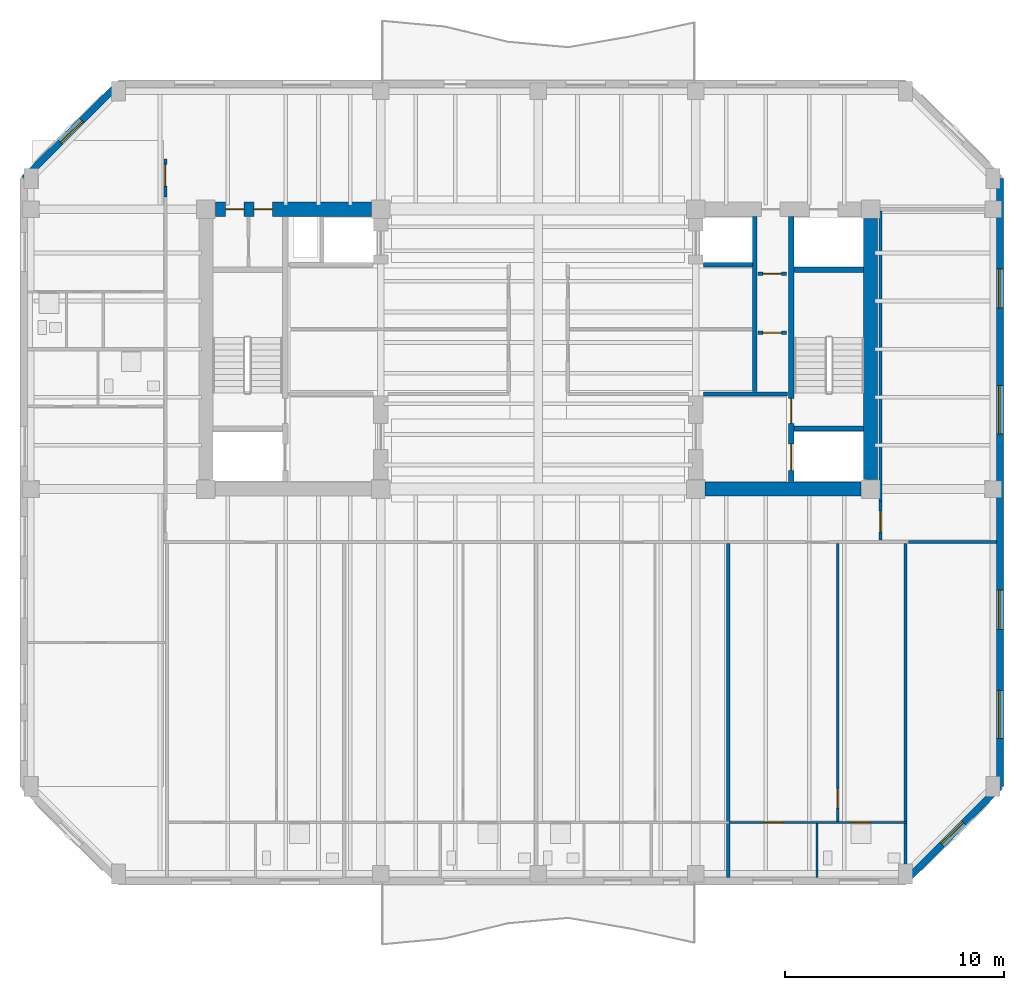
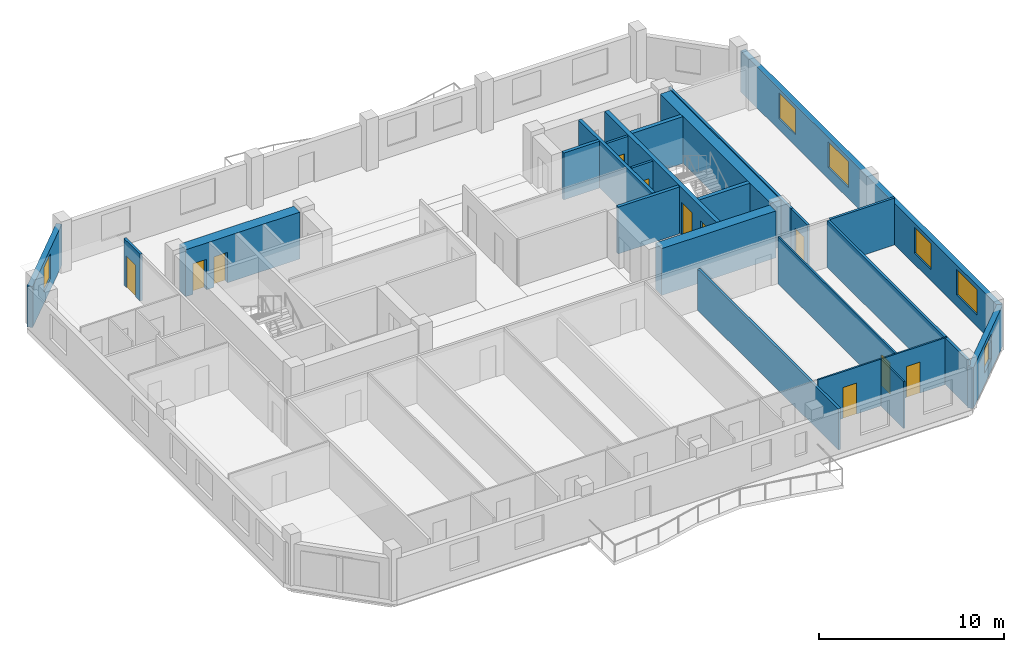
# One storey, part 5 of 11: 23 walls, 11 doors, 6 windows, 17 openings.
"""IFC4 building model written with IfcOpenShell, lengths in metres."""

from ifc_helpers import new_model, si_unit, direction, frame, frame_2d, origin, place, context, subcontext, project, spatial, rectangle, extrude, material, layer, layer_set, type_object, element, fill, save


model = new_model("IFC4")

# Units and contexts
model_context = context("Model", 3, precision=1e-05, world=origin(), true_north=direction((0.0, 1.0)))
body_context = subcontext(model_context, "Body", "Model", "MODEL_VIEW")
ifc_project = project(units=[si_unit("LENGTHUNIT", "METRE"), si_unit("AREAUNIT", "SQUARE_METRE"), si_unit("VOLUMEUNIT", "CUBIC_METRE"), si_unit("PLANEANGLEUNIT", "RADIAN"), si_unit("MASSUNIT", "GRAM", prefix="KILO")], contexts=[model_context])

# Site, building, storey
site_placement = place(None, origin())
site = spatial("IfcSite", under=ifc_project, at=site_placement, CompositionType="ELEMENT")
building_placement = place(site_placement, origin())
building = spatial("IfcBuilding", under=site, at=building_placement, Name="Kranthara Brick Stack", CompositionType="ELEMENT")
storey_placement = place(building_placement, frame((0.0, 0.0, 221.10009765625)))
storey = spatial("IfcBuildingStorey", under=building, at=storey_placement, Name="L57", CompositionType="ELEMENT", Elevation=221.10009765625)

# Wall, opening, window
ifc_material_1 = material(Name="Warm buff clay brick masonry M15", Category="masonry")
ifc_layer_1 = layer(ifc_material_1, 0.320068359375)
ifc_layer_set_1 = layer_set([ifc_layer_1], Name="Warm buff clay brick masonry M15")
wall_type_1 = type_object("IfcWallType", Name="WL-BRK-UPPR-320", PredefinedType="STANDARD", material=ifc_layer_set_1)
wall_1_placement = place(storey_placement, frame((4.47998046875, 35.0, 0.0), z_axis=(0.0, 0.0, 1.0), x_axis=(0.707106781187, 0.707106781187, 0.0)))
wall_1 = element("IfcWall", 1, at=wall_1_placement, inside=storey, type_object=wall_type_1, Name="L57 Exterior Brick Facade Wall NW 1", PredefinedType="STANDARD", context=body_context, shape_type="SweptSolid", body=[
    extrude(rectangle(XDim=6.109619140625, YDim=0.320068359375, at=frame_2d((3.0546875, 0.0))), origin(), (0.0, 0.0, 1.0), 2.724853515625),
])
opening_1_placement = place(wall_1_placement, frame((2.35498046875, 0.0, 0.75)))
opening_1 = element("IfcOpeningElement", 2, at=opening_1_placement, cuts=wall_1, Name="Opening WN10", PredefinedType="OPENING", context=body_context, shape_type="SweptSolid", body=[
    extrude(rectangle(XDim=1.39990234375, YDim=1.64990234375, at=frame_2d((0.699951171875, 0.824951171875))), frame((0.0, 0.169921875, 0.0), z_axis=(0.0, -1.0, 0.0), x_axis=(1.0, 0.0, 0.0)), (0.0, 0.0, 1.0), 0.340087890625),
])
ifc_material_2 = material(Name="Double-glazed low-E solar control glass", Category="glass")
window_type_1 = type_object("IfcWindowType", Name="WN-CHM-1400x1750", PartitioningType="SINGLE_PANEL", PredefinedType="WINDOW", material=ifc_material_2)
window_1_placement = place(opening_1_placement, origin())
window_1 = element("IfcWindow", 3, at=window_1_placement, inside=storey, type_object=window_type_1, Name="L57 NW Chamfer Corner Window", OverallHeight=1.64990234375, OverallWidth=1.39990234375, PartitioningType="SINGLE_PANEL", PredefinedType="WINDOW", context=body_context, shape_type="SweptSolid", body=[
    extrude(rectangle(XDim=1.39990234375, YDim=1.64990234375, at=frame_2d((0.699951171875, 0.824951171875))), frame((0.0, -0.010009765625, 0.0), z_axis=(0.0, -1.0, 0.0), x_axis=(1.0, 0.0, 0.0)), (0.0, 0.0, 1.0), 0.06005859375),
])
fill(opening_1, window_1)

# Wall, openings, windows
wall_2_placement = place(storey_placement, frame((49.1201171875, 35.0, 0.0), z_axis=(0.0, 0.0, 1.0), x_axis=(0.0, -1.0, 0.0)))
wall_2 = element("IfcWall", 4, at=wall_2_placement, inside=storey, type_object=wall_type_1, Name="L57 Exterior Brick Facade Wall EAST 1", PredefinedType="STANDARD", context=body_context, shape_type="SweptSolid", body=[
    extrude(rectangle(XDim=27.800048828125, YDim=0.320068359375, at=frame_2d((13.89990234375, 0.0))), origin(), (0.0, 0.0, 1.0), 2.724853515625),
])
opening_2_placement = place(wall_2_placement, frame((4.1279296875, 0.0, 0.75)))
opening_2 = element("IfcOpeningElement", 5, at=opening_2_placement, cuts=wall_2, Name="Opening WN07", PredefinedType="OPENING", context=body_context, shape_type="SweptSolid", body=[
    extrude(rectangle(XDim=1.800048828125, YDim=1.699951171875, at=frame_2d((0.89990234375, 0.85009765625))), frame((0.0, 0.169921875, 0.0), z_axis=(0.0, -1.0, 0.0), x_axis=(1.0, 0.0, 0.0)), (0.0, 0.0, 1.0), 0.340087890625),
])
opening_3_placement = place(wall_2_placement, frame((9.471923828125, 0.0, 0.75)))
opening_3 = element("IfcOpeningElement", 6, at=opening_3_placement, cuts=wall_2, Name="Opening WN08", PredefinedType="OPENING", context=body_context, shape_type="SweptSolid", body=[
    extrude(rectangle(XDim=2.199951171875, YDim=1.699951171875, at=frame_2d((1.10009765625, 0.85009765625))), frame((0.0, 0.169921875, 0.0), z_axis=(0.0, -1.0, 0.0), x_axis=(1.0, 0.0, 0.0)), (0.0, 0.0, 1.0), 0.340087890625),
])
opening_4_placement = place(wall_2_placement, frame((18.81494140625, 0.0, 0.75)))
opening_4 = element("IfcOpeningElement", 7, at=opening_4_placement, cuts=wall_2, Name="Opening WN07", PredefinedType="OPENING", context=body_context, shape_type="SweptSolid", body=[
    extrude(rectangle(XDim=1.800048828125, YDim=1.699951171875, at=frame_2d((0.89990234375, 0.85009765625))), frame((0.0, 0.169921875, 0.0), z_axis=(0.0, -1.0, 0.0), x_axis=(1.0, 0.0, 0.0)), (0.0, 0.0, 1.0), 0.340087890625),
])
opening_5_placement = place(wall_2_placement, frame((23.405029296875, 0.0, 0.75)))
opening_5 = element("IfcOpeningElement", 8, at=opening_5_placement, cuts=wall_2, Name="Opening WN08", PredefinedType="OPENING", context=body_context, shape_type="SweptSolid", body=[
    extrude(rectangle(XDim=2.199951171875, YDim=1.699951171875, at=frame_2d((1.10009765625, 0.85009765625))), frame((0.0, 0.169921875, 0.0), z_axis=(0.0, -1.0, 0.0), x_axis=(1.0, 0.0, 0.0)), (0.0, 0.0, 1.0), 0.340087890625),
])
ifc_material_3 = material(Name="Double-glazed low-E solar control glass", Category="glass")
window_type_2 = type_object("IfcWindowType", Name="WN-RES-1800x1850", PartitioningType="DOUBLE_PANEL_VERTICAL", PredefinedType="WINDOW", material=ifc_material_3)
window_2_placement = place(opening_2_placement, origin())
window_2 = element("IfcWindow", 9, at=window_2_placement, inside=storey, type_object=window_type_2, Name="L57 East Deep-Set Brick Window 01", OverallHeight=1.699951171875, OverallWidth=1.800048828125, PartitioningType="SINGLE_PANEL", PredefinedType="WINDOW", context=body_context, shape_type="SweptSolid", body=[
    extrude(rectangle(XDim=1.800048828125, YDim=1.699951171875, at=frame_2d((0.89990234375, 0.85009765625))), frame((0.0, -0.010009765625, 0.0), z_axis=(0.0, -1.0, 0.0), x_axis=(1.0, 0.0, 0.0)), (0.0, 0.0, 1.0), 0.06005859375),
])
fill(opening_2, window_2)
window_3_placement = place(opening_4_placement, origin())
window_3 = element("IfcWindow", 10, at=window_3_placement, inside=storey, type_object=window_type_2, Name="L57 East Deep-Set Brick Window 03", OverallHeight=1.699951171875, OverallWidth=1.800048828125, PartitioningType="SINGLE_PANEL", PredefinedType="WINDOW", context=body_context, shape_type="SweptSolid", body=[
    extrude(rectangle(XDim=1.800048828125, YDim=1.699951171875, at=frame_2d((0.89990234375, 0.85009765625))), frame((0.0, -0.010009765625, 0.0), z_axis=(0.0, -1.0, 0.0), x_axis=(1.0, 0.0, 0.0)), (0.0, 0.0, 1.0), 0.06005859375),
])
fill(opening_4, window_3)
ifc_material_4 = material(Name="Double-glazed low-E solar control glass", Category="glass")
window_type_3 = type_object("IfcWindowType", Name="WN-RES-2200x1850", PartitioningType="TRIPLE_PANEL_VERTICAL", PredefinedType="WINDOW", material=ifc_material_4)
window_4_placement = place(opening_3_placement, origin())
window_4 = element("IfcWindow", 11, at=window_4_placement, inside=storey, type_object=window_type_3, Name="L57 East Deep-Set Brick Window 02", OverallHeight=1.699951171875, OverallWidth=2.199951171875, PartitioningType="SINGLE_PANEL", PredefinedType="WINDOW", context=body_context, shape_type="SweptSolid", body=[
    extrude(rectangle(XDim=2.199951171875, YDim=1.699951171875, at=frame_2d((1.10009765625, 0.85009765625))), frame((0.0, -0.010009765625, 0.0), z_axis=(0.0, -1.0, 0.0), x_axis=(1.0, 0.0, 0.0)), (0.0, 0.0, 1.0), 0.06005859375),
])
fill(opening_3, window_4)
window_5_placement = place(opening_5_placement, origin())
window_5 = element("IfcWindow", 12, at=window_5_placement, inside=storey, type_object=window_type_3, Name="L57 East Deep-Set Brick Window 04", OverallHeight=1.699951171875, OverallWidth=2.199951171875, PartitioningType="SINGLE_PANEL", PredefinedType="WINDOW", context=body_context, shape_type="SweptSolid", body=[
    extrude(rectangle(XDim=2.199951171875, YDim=1.699951171875, at=frame_2d((1.10009765625, 0.85009765625))), frame((0.0, -0.010009765625, 0.0), z_axis=(0.0, -1.0, 0.0), x_axis=(1.0, 0.0, 0.0)), (0.0, 0.0, 1.0), 0.06005859375),
])
fill(opening_5, window_5)

# Wall, opening, window
wall_3_placement = place(storey_placement, frame((49.1201171875, 7.199951171875, 0.0), z_axis=(0.0, 0.0, 1.0), x_axis=(-0.707106781187, -0.707106781187, 0.0)))
wall_3 = element("IfcWall", 13, at=wall_3_placement, inside=storey, type_object=wall_type_1, Name="L57 Exterior Brick Facade Wall SE 1", PredefinedType="STANDARD", context=body_context, shape_type="SweptSolid", body=[
    extrude(rectangle(XDim=6.109619140625, YDim=0.320068359375, at=frame_2d((3.0546875, 0.0))), origin(), (0.0, 0.0, 1.0), 2.724853515625),
])
opening_6_placement = place(wall_3_placement, frame((2.35498046875, 0.0, 0.75)))
opening_6 = element("IfcOpeningElement", 14, at=opening_6_placement, cuts=wall_3, Name="Opening WN10", PredefinedType="OPENING", context=body_context, shape_type="SweptSolid", body=[
    extrude(rectangle(XDim=1.39990234375, YDim=1.64990234375, at=frame_2d((0.699951171875, 0.824951171875))), frame((0.0, 0.169921875, 0.0), z_axis=(0.0, -1.0, 0.0), x_axis=(1.0, 0.0, 0.0)), (0.0, 0.0, 1.0), 0.340087890625),
])
window_6_placement = place(opening_6_placement, origin())
window_6 = element("IfcWindow", 15, at=window_6_placement, inside=storey, type_object=window_type_1, Name="L57 SE Chamfer Corner Window", OverallHeight=1.64990234375, OverallWidth=1.39990234375, PartitioningType="SINGLE_PANEL", PredefinedType="WINDOW", context=body_context, shape_type="SweptSolid", body=[
    extrude(rectangle(XDim=1.39990234375, YDim=1.64990234375, at=frame_2d((0.699951171875, 0.824951171875))), frame((0.0, -0.010009765625, 0.0), z_axis=(0.0, -1.0, 0.0), x_axis=(1.0, 0.0, 0.0)), (0.0, 0.0, 1.0), 0.06005859375),
])
fill(opening_6, window_6)

# Wall, openings, doors
ifc_material_5 = material(Name="Concrete C50/60", Category="concrete")
ifc_layer_2 = layer(ifc_material_5, 0.25)
ifc_layer_set_2 = layer_set([ifc_layer_2], Name="Concrete C50/60")
wall_type_2 = type_object("IfcWallType", Name="WL-CORE-250", PredefinedType="SHEAR", material=ifc_layer_set_2)
wall_4_placement = place(storey_placement, frame((39.56494140625, 21.135009765625, 0.0), z_axis=(0.0, 0.0, 1.0), x_axis=(0.0, 1.0, 0.0)))
wall_4 = element("IfcWall", 16, at=wall_4_placement, inside=storey, type_object=wall_type_2, Name="L57 East Core Stair Bearing Spine Wall", PredefinedType="SHEAR", context=body_context, shape_type="SweptSolid", body=[
    extrude(rectangle(XDim=12.1298828125, YDim=0.25, at=frame_2d((6.06494140625, 0.0))), origin(), (0.0, 0.0, 1.0), 3.099853515625),
])
opening_7_placement = place(wall_4_placement, frame((0.514892578125, 0.0, 0.0)))
opening_7 = element("IfcOpeningElement", 17, at=opening_7_placement, cuts=wall_4, Name="Opening LD01", PredefinedType="OPENING", context=body_context, shape_type="SweptSolid", body=[
    extrude(rectangle(XDim=1.199951171875, YDim=2.14990234375, at=frame_2d((0.60009765625, 1.074951171875))), frame((0.0, 0.135009765625, 0.0), z_axis=(0.0, -1.0, 0.0), x_axis=(1.0, 0.0, 0.0)), (0.0, 0.0, 1.0), 0.27001953125),
])
opening_8_placement = place(wall_4_placement, frame((2.6650390625, 0.0, 0.0)))
opening_8 = element("IfcOpeningElement", 18, at=opening_8_placement, cuts=wall_4, Name="Opening D05", PredefinedType="OPENING", context=body_context, shape_type="SweptSolid", body=[
    extrude(rectangle(XDim=1.14990234375, YDim=2.14990234375, at=frame_2d((0.574951171875, 1.074951171875))), frame((0.0, 0.135009765625, 0.0), z_axis=(0.0, -1.0, 0.0), x_axis=(1.0, 0.0, 0.0)), (0.0, 0.0, 1.0), 0.27001953125),
])
ifc_material_6 = material(Name="Stainless steel sliding landing door", Category="steel")
door_type_1 = type_object("IfcDoorType", Name="DR-LD-FF1200", OperationType="DOUBLE_DOOR_SLIDING", PredefinedType="DOOR", material=ifc_material_6)
door_1_placement = place(opening_7_placement, origin())
door_1 = element("IfcDoor", 19, at=door_1_placement, inside=storey, type_object=door_type_1, Name="L57 Firefighting Lift FF-02 Landing Door", OperationType="DOUBLE_DOOR_SLIDING", OverallHeight=2.14990234375, OverallWidth=1.199951171875, PredefinedType="DOOR", context=body_context, shape_type="SweptSolid", body=[
    extrude(rectangle(XDim=1.199951171875, YDim=2.14990234375, at=frame_2d((0.60009765625, 1.074951171875))), frame((0.0, 0.02490234375, 0.0), z_axis=(0.0, -1.0, 0.0), x_axis=(1.0, 0.0, 0.0)), (0.0, 0.0, 1.0), 0.050048828125),
])
fill(opening_7, door_1)
ifc_material_7 = material(Name="Solid-core hardwood timber leaf in steel frame", Category="steel")
door_type_2 = type_object("IfcDoorType", Name="DR-ST-1150", OperationType="NOTDEFINED", PredefinedType="DOOR", material=ifc_material_7)
door_2_placement = place(opening_8_placement, origin())
door_2 = element("IfcDoor", 20, at=door_2_placement, inside=storey, type_object=door_type_2, Name="L57 Exit Stair ST02 Door", OperationType="SINGLE_SWING_LEFT", OverallHeight=2.14990234375, OverallWidth=1.14990234375, PredefinedType="DOOR", context=body_context, shape_type="SweptSolid", body=[
    extrude(rectangle(XDim=1.14990234375, YDim=2.14990234375, at=frame_2d((0.574951171875, 1.074951171875))), frame((0.0, 0.02490234375, 0.0), z_axis=(0.0, -1.0, 0.0), x_axis=(1.0, 0.0, 0.0)), (0.0, 0.0, 1.0), 0.050048828125),
])
fill(opening_8, door_2)

# Walls
for number, where, z_axis, x_axis, name in (
    (21, (39.68994140625, 23.570068359375, 0.0), (0.0, 0.0, 1.0), (1.0, 0.0, 0.0), "L57 East Stairwell Bearing Wall EFF"),
    (22, (39.68994140625, 30.830078125, 0.0), (0.0, 0.0, 1.0), (1.0, 0.0, 0.0), "L57 East Stairwell Bearing Wall EST"),
):
    element("IfcWall", number, at=place(storey_placement, frame(where, z_axis=z_axis, x_axis=x_axis)), inside=storey, type_object=wall_type_2, Name=name, PredefinedType="SHEAR", context=body_context, shape_type="SweptSolid", body=[
        extrude(rectangle(XDim=3.175048828125, YDim=0.25, at=frame_2d((1.58740234375, 0.0))), origin(), (0.0, 0.0, 1.0), 3.099853515625),
    ])

# Wall, openings, doors
ifc_material_8 = material(Name="Concrete C60/75", Category="concrete")
ifc_layer_3 = layer(ifc_material_8, 0.64990234375)
ifc_layer_set_3 = layer_set([ifc_layer_3], Name="Concrete C60/75")
wall_type_3 = type_object("IfcWallType", Name="WL-CORE-650", PredefinedType="SHEAR", material=ifc_layer_set_3)
wall_5_placement = place(storey_placement, frame((13.22998046875, 33.60009765625, 0.0), z_axis=(0.0, 0.0, 1.0), x_axis=(1.0, 0.0, 0.0)))
wall_5 = element("IfcWall", 23, at=wall_5_placement, inside=storey, type_object=wall_type_3, Name="L57 West Core Shear Wall North", PredefinedType="SHEAR", context=body_context, shape_type="SweptSolid", body=[
    extrude(rectangle(XDim=7.14013671875, YDim=0.64990234375, at=frame_2d((3.570068359375, 0.0))), origin(), (0.0, 0.0, 1.0), 3.099853515625),
])
opening_9_placement = place(wall_5_placement, frame((0.469970703125, 0.0, 0.0)))
opening_9 = element("IfcOpeningElement", 24, at=opening_9_placement, cuts=wall_5, Name="Opening D10", PredefinedType="OPENING", context=body_context, shape_type="SweptSolid", body=[
    extrude(rectangle(XDim=0.85009765625, YDim=2.02001953125, at=frame_2d((0.425048828125, 1.010009765625))), frame((0.0, 0.3349609375, 0.0), z_axis=(0.0, -1.0, 0.0), x_axis=(1.0, 0.0, 0.0)), (0.0, 0.0, 1.0), 0.669921875),
])
opening_10_placement = place(wall_5_placement, frame((1.77001953125, 0.0, 0.0)))
opening_10 = element("IfcOpeningElement", 25, at=opening_10_placement, cuts=wall_5, Name="Opening D10", PredefinedType="OPENING", context=body_context, shape_type="SweptSolid", body=[
    extrude(rectangle(XDim=0.85009765625, YDim=2.02001953125, at=frame_2d((0.425048828125, 1.010009765625))), frame((0.0, 0.3349609375, 0.0), z_axis=(0.0, -1.0, 0.0), x_axis=(1.0, 0.0, 0.0)), (0.0, 0.0, 1.0), 0.669921875),
])
ifc_material_9 = material(Name="Solid-core hardwood timber leaf in steel frame", Category="steel")
door_type_3 = type_object("IfcDoorType", Name="DR-RSR-850", OperationType="NOTDEFINED", PredefinedType="DOOR", material=ifc_material_9)
door_3_placement = place(opening_9_placement, origin())
door_3 = element("IfcDoor", 26, at=door_3_placement, inside=storey, type_object=door_type_3, Name="L57 West Core Service Door 1", OperationType="SINGLE_SWING_LEFT", OverallHeight=2.02001953125, OverallWidth=0.85009765625, PredefinedType="DOOR", context=body_context, shape_type="SweptSolid", body=[
    extrude(rectangle(XDim=0.85009765625, YDim=2.02001953125, at=frame_2d((0.425048828125, 1.010009765625))), frame((0.0, 0.02490234375, 0.0), z_axis=(0.0, -1.0, 0.0), x_axis=(1.0, 0.0, 0.0)), (0.0, 0.0, 1.0), 0.050048828125),
])
fill(opening_9, door_3)
door_4_placement = place(opening_10_placement, origin())
door_4 = element("IfcDoor", 27, at=door_4_placement, inside=storey, type_object=door_type_3, Name="L57 West Core Service Door 2", OperationType="SINGLE_SWING_RIGHT", OverallHeight=2.02001953125, OverallWidth=0.85009765625, PredefinedType="DOOR", context=body_context, shape_type="SweptSolid", body=[
    extrude(rectangle(XDim=0.85009765625, YDim=2.02001953125, at=frame_2d((0.425048828125, 1.010009765625))), frame((0.0, 0.02490234375, 0.0), z_axis=(0.0, -1.0, 0.0), x_axis=(1.0, 0.0, 0.0)), (0.0, 0.0, 1.0), 0.050048828125),
])
fill(opening_10, door_4)

# Walls
wall_6_placement = place(storey_placement, frame((43.199951171875, 21.22998046875, 0.0), z_axis=(0.0, 0.0, 1.0), x_axis=(0.0, 1.0, 0.0)))
element("IfcWall", 28, at=wall_6_placement, inside=storey, type_object=wall_type_3, Name="L57 East Core Shear Wall East", PredefinedType="SHEAR", context=body_context, shape_type="SweptSolid", body=[
    extrude(rectangle(XDim=11.93994140625, YDim=0.64990234375, at=frame_2d((5.969970703125, 0.0))), origin(), (0.0, 0.0, 1.0), 3.099853515625),
])
wall_7_placement = place(storey_placement, frame((35.6298828125, 20.800048828125, 0.0), z_axis=(0.0, 0.0, 1.0), x_axis=(1.0, 0.0, 0.0)))
element("IfcWall", 29, at=wall_7_placement, inside=storey, type_object=wall_type_3, Name="L57 East Core Shear Wall South", PredefinedType="SHEAR", context=body_context, shape_type="SweptSolid", body=[
    extrude(rectangle(XDim=7.14013671875, YDim=0.64990234375, at=frame_2d((3.570068359375, 0.0))), origin(), (0.0, 0.0, 1.0), 3.099853515625),
])

# Wall, openings, doors
ifc_material_10 = material(Name="Moisture-resistant wet-room partition", Category="other")
ifc_layer_4 = layer(ifc_material_10, 0.10009765625)
ifc_layer_set_4 = layer_set([ifc_layer_4], Name="Moisture-resistant wet-room partition")
wall_type_4 = type_object("IfcWallType", Name="WL-PART-100", PredefinedType="PARTITIONING", material=ifc_layer_set_4)
wall_8_placement = place(storey_placement, frame((36.77294921875, 5.550048828125, 0.0), z_axis=(0.0, 0.0, 1.0), x_axis=(1.0, 0.0, 0.0)))
wall_8 = element("IfcWall", 30, at=wall_8_placement, inside=storey, type_object=wall_type_4, Name="L57 Interior Partition 025", PredefinedType="PARTITIONING", context=body_context, shape_type="SweptSolid", body=[
    extrude(rectangle(XDim=8.067138671875, YDim=0.10009765625, at=frame_2d((4.03369140625, 0.0))), origin(), (0.0, 0.0, 1.0), 3.099853515625),
])
opening_11_placement = place(wall_8_placement, frame((1.56103515625, 0.0, 0.0)))
opening_11 = element("IfcOpeningElement", 31, at=opening_11_placement, cuts=wall_8, Name="Opening D16", PredefinedType="OPENING", context=body_context, shape_type="SweptSolid", body=[
    extrude(rectangle(XDim=0.85009765625, YDim=2.050048828125, at=frame_2d((0.425048828125, 1.02490234375))), frame((0.0, 0.06005859375, 0.0), z_axis=(0.0, -1.0, 0.0), x_axis=(1.0, 0.0, 0.0)), (0.0, 0.0, 1.0), 0.1201171875),
])
opening_12_placement = place(wall_8_placement, frame((5.534912109375, 0.0, 0.0)))
opening_12 = element("IfcOpeningElement", 32, at=opening_12_placement, cuts=wall_8, Name="Opening D17", PredefinedType="OPENING", context=body_context, shape_type="SweptSolid", body=[
    extrude(rectangle(XDim=0.85009765625, YDim=2.050048828125, at=frame_2d((0.425048828125, 1.02490234375))), frame((0.0, 0.06005859375, 0.0), z_axis=(0.0, -1.0, 0.0), x_axis=(1.0, 0.0, 0.0)), (0.0, 0.0, 1.0), 0.1201171875),
])
ifc_material_11 = material(Name="Solid-core hardwood timber leaf in steel frame", Category="steel")
door_type_4 = type_object("IfcDoorType", Name="DR-INT-850", OperationType="NOTDEFINED", PredefinedType="DOOR", material=ifc_material_11)
door_5_placement = place(opening_11_placement, origin())
door_5 = element("IfcDoor", 33, at=door_5_placement, inside=storey, type_object=door_type_4, Name="L57 Unit L57D Kitchen 23", OperationType="SINGLE_SWING_LEFT", OverallHeight=2.050048828125, OverallWidth=0.85009765625, PredefinedType="DOOR", context=body_context, shape_type="SweptSolid", body=[
    extrude(rectangle(XDim=0.85009765625, YDim=2.050048828125, at=frame_2d((0.425048828125, 1.02490234375))), frame((0.0, 0.02490234375, 0.0), z_axis=(0.0, -1.0, 0.0), x_axis=(1.0, 0.0, 0.0)), (0.0, 0.0, 1.0), 0.050048828125),
])
fill(opening_11, door_5)
ifc_material_12 = material(Name="Solid-core hardwood timber leaf in steel frame", Category="steel")
door_type_5 = type_object("IfcDoorType", Name="DR-WET-850", OperationType="NOTDEFINED", PredefinedType="DOOR", material=ifc_material_12)
door_6_placement = place(opening_12_placement, origin())
door_6 = element("IfcDoor", 34, at=door_6_placement, inside=storey, type_object=door_type_5, Name="L57 Unit L57D Bathroom 24", OperationType="SINGLE_SWING_RIGHT", OverallHeight=2.050048828125, OverallWidth=0.85009765625, PredefinedType="DOOR", context=body_context, shape_type="SweptSolid", body=[
    extrude(rectangle(XDim=0.85009765625, YDim=2.050048828125, at=frame_2d((0.425048828125, 1.02490234375))), frame((0.0, 0.02490234375, 0.0), z_axis=(0.0, -1.0, 0.0), x_axis=(1.0, 0.0, 0.0)), (0.0, 0.0, 1.0), 0.050048828125),
])
fill(opening_12, door_6)

# Wall, opening, door
wall_9_placement = place(storey_placement, frame((41.699951171875, 5.60498046875, 0.0), z_axis=(0.0, 0.0, 1.0), x_axis=(0.0, 1.0, 0.0)))
wall_9 = element("IfcWall", 35, at=wall_9_placement, inside=storey, type_object=wall_type_4, Name="L57 Interior Partition 026", PredefinedType="PARTITIONING", context=body_context, shape_type="SweptSolid", body=[
    extrude(rectangle(XDim=12.695068359375, YDim=0.10009765625, at=frame_2d((6.34765625, 0.0))), origin(), (0.0, 0.0, 1.0), 3.099853515625),
])
opening_13_placement = place(wall_9_placement, frame((0.60498046875, 0.0, 0.0)))
opening_13 = element("IfcOpeningElement", 36, at=opening_13_placement, cuts=wall_9, Name="Opening D15", PredefinedType="OPENING", context=body_context, shape_type="SweptSolid", body=[
    extrude(rectangle(XDim=0.89990234375, YDim=2.050048828125, at=frame_2d((0.449951171875, 1.02490234375))), frame((0.0, 0.06005859375, 0.0), z_axis=(0.0, -1.0, 0.0), x_axis=(1.0, 0.0, 0.0)), (0.0, 0.0, 1.0), 0.1201171875),
])
ifc_material_13 = material(Name="Solid-core hardwood timber leaf in steel frame", Category="steel")
door_type_6 = type_object("IfcDoorType", Name="DR-INT-900", OperationType="NOTDEFINED", PredefinedType="DOOR", material=ifc_material_13)
door_7_placement = place(opening_13_placement, origin())
door_7 = element("IfcDoor", 37, at=door_7_placement, inside=storey, type_object=door_type_6, Name="L57 Unit L57D Study 22", OperationType="SINGLE_SWING_RIGHT", OverallHeight=2.050048828125, OverallWidth=0.89990234375, PredefinedType="DOOR", context=body_context, shape_type="SweptSolid", body=[
    extrude(rectangle(XDim=0.89990234375, YDim=2.050048828125, at=frame_2d((0.449951171875, 1.02490234375))), frame((0.0, 0.02490234375, 0.0), z_axis=(0.0, -1.0, 0.0), x_axis=(1.0, 0.0, 0.0)), (0.0, 0.0, 1.0), 0.050048828125),
])
fill(opening_13, door_7)

# Wall
wall_10_placement = place(storey_placement, frame((40.74609375, 3.044921875, 0.0), z_axis=(0.0, 0.0, 1.0), x_axis=(0.0, 1.0, 0.0)))
element("IfcWall", 38, at=wall_10_placement, inside=storey, type_object=wall_type_4, Name="L57 Interior Partition 027", PredefinedType="PARTITIONING", context=body_context, shape_type="SweptSolid", body=[
    extrude(rectangle(XDim=2.4501953125, YDim=0.10009765625, at=frame_2d((1.22509765625, 0.0))), origin(), (0.0, 0.0, 1.0), 3.099853515625),
])

# Wall, opening, door
ifc_material_14 = material(Name="Fire-rated gypsum board partition", Category="other")
ifc_layer_5 = layer(ifc_material_14, 0.14990234375)
ifc_layer_set_5 = layer_set([ifc_layer_5], Name="Fire-rated gypsum board partition")
wall_type_5 = type_object("IfcWallType", Name="WL-PART-150", PredefinedType="PARTITIONING", material=ifc_layer_set_5)
wall_11_placement = place(storey_placement, frame((38.050048828125, 27.949951171875, 0.0), z_axis=(0.0, 0.0, 1.0), x_axis=(1.0, 0.0, 0.0)))
wall_11 = element("IfcWall", 39, at=wall_11_placement, inside=storey, type_object=wall_type_5, Name="L57 Interior Partition 002", PredefinedType="PARTITIONING", context=body_context, shape_type="SweptSolid", body=[
    extrude(rectangle(XDim=1.300048828125, YDim=0.14990234375, at=frame_2d((0.64990234375, 0.0))), origin(), (0.0, 0.0, 1.0), 3.099853515625),
])
opening_14_placement = place(wall_11_placement, frame((0.219970703125, 0.0, 0.0)))
opening_14 = element("IfcOpeningElement", 40, at=opening_14_placement, cuts=wall_11, Name="Opening D10", PredefinedType="OPENING", context=body_context, shape_type="SweptSolid", body=[
    extrude(rectangle(XDim=0.85009765625, YDim=2.02001953125, at=frame_2d((0.425048828125, 1.010009765625))), frame((0.0, 0.0849609375, 0.0), z_axis=(0.0, -1.0, 0.0), x_axis=(1.0, 0.0, 0.0)), (0.0, 0.0, 1.0), 0.169921875),
])
door_8_placement = place(opening_14_placement, origin())
door_8 = element("IfcDoor", 41, at=door_8_placement, inside=storey, type_object=door_type_3, Name="L57 Riser Door 1 02", OperationType="SINGLE_SWING_RIGHT", OverallHeight=2.02001953125, OverallWidth=0.85009765625, PredefinedType="DOOR", context=body_context, shape_type="SweptSolid", body=[
    extrude(rectangle(XDim=0.85009765625, YDim=2.02001953125, at=frame_2d((0.425048828125, 1.010009765625))), frame((0.0, 0.02490234375, 0.0), z_axis=(0.0, -1.0, 0.0), x_axis=(1.0, 0.0, 0.0)), (0.0, 0.0, 1.0), 0.050048828125),
])
fill(opening_14, door_8)

wall_12_placement = place(storey_placement, frame((38.050048828125, 30.64990234375, 0.0), z_axis=(0.0, 0.0, 1.0), x_axis=(1.0, 0.0, 0.0)))
wall_12 = element("IfcWall", 42, at=wall_12_placement, inside=storey, type_object=wall_type_5, Name="L57 Interior Partition 003", PredefinedType="PARTITIONING", context=body_context, shape_type="SweptSolid", body=[
    extrude(rectangle(XDim=1.300048828125, YDim=0.14990234375, at=frame_2d((0.64990234375, 0.0))), origin(), (0.0, 0.0, 1.0), 3.099853515625),
])
opening_15_placement = place(wall_12_placement, frame((0.219970703125, 0.0, 0.0)))
opening_15 = element("IfcOpeningElement", 43, at=opening_15_placement, cuts=wall_12, Name="Opening D10", PredefinedType="OPENING", context=body_context, shape_type="SweptSolid", body=[
    extrude(rectangle(XDim=0.85009765625, YDim=2.02001953125, at=frame_2d((0.425048828125, 1.010009765625))), frame((0.0, 0.0849609375, 0.0), z_axis=(0.0, -1.0, 0.0), x_axis=(1.0, 0.0, 0.0)), (0.0, 0.0, 1.0), 0.169921875),
])
door_9_placement = place(opening_15_placement, origin())
door_9 = element("IfcDoor", 44, at=door_9_placement, inside=storey, type_object=door_type_3, Name="L57 Riser Door 2 03", OperationType="SINGLE_SWING_LEFT", OverallHeight=2.02001953125, OverallWidth=0.85009765625, PredefinedType="DOOR", context=body_context, shape_type="SweptSolid", body=[
    extrude(rectangle(XDim=0.85009765625, YDim=2.02001953125, at=frame_2d((0.425048828125, 1.010009765625))), frame((0.0, 0.02490234375, 0.0), z_axis=(0.0, -1.0, 0.0), x_axis=(1.0, 0.0, 0.0)), (0.0, 0.0, 1.0), 0.050048828125),
])
fill(opening_15, door_9)

# Walls
wall_13_placement = place(storey_placement, frame((36.693115234375, 3.044921875, 0.0), z_axis=(0.0, 0.0, 1.0), x_axis=(0.0, 1.0, 0.0)))
element("IfcWall", 45, at=wall_13_placement, inside=storey, type_object=wall_type_5, Name="L57 Interior Partition 024", PredefinedType="PARTITIONING", context=body_context, shape_type="SweptSolid", body=[
    extrude(rectangle(XDim=15.255126953125, YDim=0.14990234375, at=frame_2d((7.62744140625, 0.0))), origin(), (0.0, 0.0, 1.0), 2.724853515625),
])
wall_14_placement = place(storey_placement, frame((44.800048828125, 3.044921875, 0.0), z_axis=(0.0, 0.0, 1.0), x_axis=(0.0, 1.0, 0.0)))
element("IfcWall", 46, at=wall_14_placement, inside=storey, type_object=wall_type_5, Name="L57 Interior Partition 028", PredefinedType="PARTITIONING", context=body_context, shape_type="SweptSolid", body=[
    extrude(rectangle(XDim=15.255126953125, YDim=0.14990234375, at=frame_2d((7.62744140625, 0.0))), origin(), (0.0, 0.0, 1.0), 3.099853515625),
])

# Wall, opening, door
wall_15_placement = place(storey_placement, frame((10.949951171875, 34.14990234375, 0.0), z_axis=(0.0, 0.0, 1.0), x_axis=(0.0, 1.0, 0.0)))
wall_15 = element("IfcWall", 47, at=wall_15_placement, inside=storey, type_object=wall_type_5, Name="L57 Interior Partition 032", PredefinedType="PARTITIONING", context=body_context, shape_type="SweptSolid", body=[
    extrude(rectangle(XDim=1.75, YDim=0.14990234375, at=frame_2d((0.875, 0.0))), origin(), (0.0, 0.0, 1.0), 3.099853515625),
])
opening_16_placement = place(wall_15_placement, frame((0.5, 0.0, 0.0)))
opening_16 = element("IfcOpeningElement", 48, at=opening_16_placement, cuts=wall_15, Name="Opening D08", PredefinedType="OPENING", context=body_context, shape_type="SweptSolid", body=[
    extrude(rectangle(XDim=1.0, YDim=2.10009765625, at=frame_2d((0.5, 1.050048828125))), frame((0.0, 0.0849609375, 0.0), z_axis=(0.0, -1.0, 0.0), x_axis=(1.0, 0.0, 0.0)), (0.0, 0.0, 1.0), 0.169921875),
])
ifc_material_15 = material(Name="Solid-core hardwood timber leaf in steel frame", Category="steel")
door_type_7 = type_object("IfcDoorType", Name="DR-FD-1000", OperationType="NOTDEFINED", PredefinedType="DOOR", material=ifc_material_15)
door_10_placement = place(opening_16_placement, origin())
door_10 = element("IfcDoor", 49, at=door_10_placement, inside=storey, type_object=door_type_7, Name="L57 Unit L57F Entrance 29", OperationType="SINGLE_SWING_LEFT", OverallHeight=2.10009765625, OverallWidth=1.0, PredefinedType="DOOR", context=body_context, shape_type="SweptSolid", body=[
    extrude(rectangle(XDim=1.0, YDim=2.10009765625, at=frame_2d((0.5, 1.050048828125))), frame((0.0, 0.02490234375, 0.0), z_axis=(0.0, -1.0, 0.0), x_axis=(1.0, 0.0, 0.0)), (0.0, 0.0, 1.0), 0.050048828125),
])
fill(opening_16, door_10)

# Wall
wall_16_placement = place(storey_placement, frame((44.929931640625, 18.3798828125, 0.0), z_axis=(0.0, 0.0, 1.0), x_axis=(1.0, 0.0, 0.0)))
element("IfcWall", 50, at=wall_16_placement, inside=storey, type_object=wall_type_5, Name="L57 Interior Partition 041", PredefinedType="PARTITIONING", context=body_context, shape_type="SweptSolid", body=[
    extrude(rectangle(XDim=4.025146484375, YDim=0.14990234375, at=frame_2d((2.0126953125, 0.0))), origin(), (0.0, 0.0, 1.0), 3.099853515625),
])

# Wall, opening, door
wall_17_placement = place(storey_placement, frame((43.64990234375, 18.4599609375, 0.0), z_axis=(0.0, 0.0, 1.0), x_axis=(0.0, 1.0, 0.0)))
wall_17 = element("IfcWall", 51, at=wall_17_placement, inside=storey, type_object=wall_type_5, Name="L57 Interior Partition 043", PredefinedType="PARTITIONING", context=body_context, shape_type="SweptSolid", body=[
    extrude(rectangle(XDim=1.7900390625, YDim=0.14990234375, at=frame_2d((0.89501953125, 0.0))), origin(), (0.0, 0.0, 1.0), 3.099853515625),
])
opening_17_placement = place(wall_17_placement, frame((0.3798828125, 0.0, 0.0)))
opening_17 = element("IfcOpeningElement", 52, at=opening_17_placement, cuts=wall_17, Name="Opening D09", PredefinedType="OPENING", context=body_context, shape_type="SweptSolid", body=[
    extrude(rectangle(XDim=0.949951171875, YDim=2.10009765625, at=frame_2d((0.47509765625, 1.050048828125))), frame((0.0, 0.0849609375, 0.0), z_axis=(0.0, -1.0, 0.0), x_axis=(1.0, 0.0, 0.0)), (0.0, 0.0, 1.0), 0.169921875),
])
ifc_material_16 = material(Name="Solid-core hardwood timber leaf in steel frame", Category="steel")
door_type_8 = type_object("IfcDoorType", Name="DR-FD-950", OperationType="NOTDEFINED", PredefinedType="DOOR", material=ifc_material_16)
door_11_placement = place(opening_17_placement, origin())
door_11 = element("IfcDoor", 53, at=door_11_placement, inside=storey, type_object=door_type_8, Name="L57 East Sky Conservatory Door 33", OperationType="SINGLE_SWING_LEFT", OverallHeight=2.10009765625, OverallWidth=0.949951171875, PredefinedType="DOOR", context=body_context, shape_type="SweptSolid", body=[
    extrude(rectangle(XDim=0.949951171875, YDim=2.10009765625, at=frame_2d((0.47509765625, 1.050048828125))), frame((0.0, 0.02490234375, 0.0), z_axis=(0.0, -1.0, 0.0), x_axis=(1.0, 0.0, 0.0)), (0.0, 0.0, 1.0), 0.050048828125),
])
fill(opening_17, door_11)

# Walls
wall_18_placement = place(storey_placement, frame((43.64990234375, 20.25, 0.0), z_axis=(0.0, 0.0, 1.0), x_axis=(0.0, 1.0, 0.0)))
element("IfcWall", 54, at=wall_18_placement, inside=storey, type_object=wall_type_5, Name="L57 Interior Partition 044", PredefinedType="PARTITIONING", context=body_context, shape_type="SweptSolid", body=[
    extrude(rectangle(XDim=13.27001953125, YDim=0.14990234375, at=frame_2d((6.635009765625, 0.0))), origin(), (0.0, 0.0, 1.0), 3.099853515625),
])
ifc_material_17 = material(Name="Concrete C40/50", Category="concrete")
ifc_layer_6 = layer(ifc_material_17, 0.199951171875)
ifc_layer_set_6 = layer_set([ifc_layer_6], Name="Concrete C40/50")
wall_type_6 = type_object("IfcWallType", Name="WL-PART-200", PredefinedType="SOLIDWALL", material=ifc_layer_set_6)
wall_19_placement = place(storey_placement, frame((35.550048828125, 25.14990234375, 0.0), z_axis=(0.0, 0.0, 1.0), x_axis=(1.0, 0.0, 0.0)))
element("IfcWall", 55, at=wall_19_placement, inside=storey, type_object=wall_type_6, Name="L57 East Core Cross Wall EFL", PredefinedType="SOLIDWALL", context=body_context, shape_type="SweptSolid", body=[
    extrude(rectangle(XDim=3.849853515625, YDim=0.199951171875, at=frame_2d((1.9248046875, 0.0))), origin(), (0.0, 0.0, 1.0), 3.099853515625),
])
wall_20_placement = place(storey_placement, frame((35.550048828125, 31.050048828125, 0.0), z_axis=(0.0, 0.0, 1.0), x_axis=(1.0, 0.0, 0.0)))
element("IfcWall", 56, at=wall_20_placement, inside=storey, type_object=wall_type_6, Name="L57 East Core Cross Wall EE4", PredefinedType="SOLIDWALL", context=body_context, shape_type="SweptSolid", body=[
    extrude(rectangle(XDim=2.25, YDim=0.199951171875, at=frame_2d((1.125, 0.0))), origin(), (0.0, 0.0, 1.0), 3.099853515625),
])
wall_21_placement = place(storey_placement, frame((37.89990234375, 25.27001953125, 0.0), z_axis=(0.0, 0.0, 1.0), x_axis=(0.0, 1.0, 0.0)))
element("IfcWall", 57, at=wall_21_placement, inside=storey, type_object=wall_type_6, Name="L57 East Core Cross Wall ESV", PredefinedType="SOLIDWALL", context=body_context, shape_type="SweptSolid", body=[
    extrude(rectangle(XDim=7.994873046875, YDim=0.199951171875, at=frame_2d((3.99755859375, 0.0))), origin(), (0.0, 0.0, 1.0), 3.099853515625),
])

save(model, "model.ifc")
